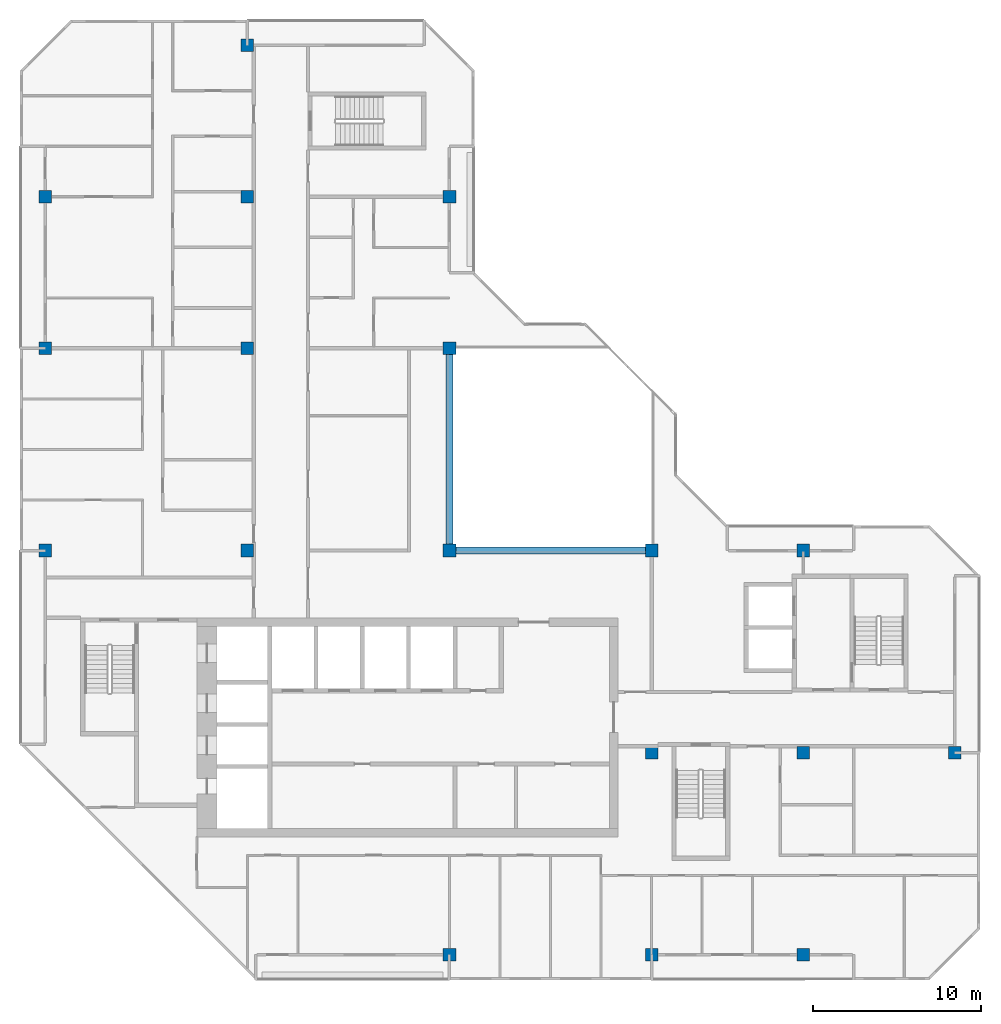
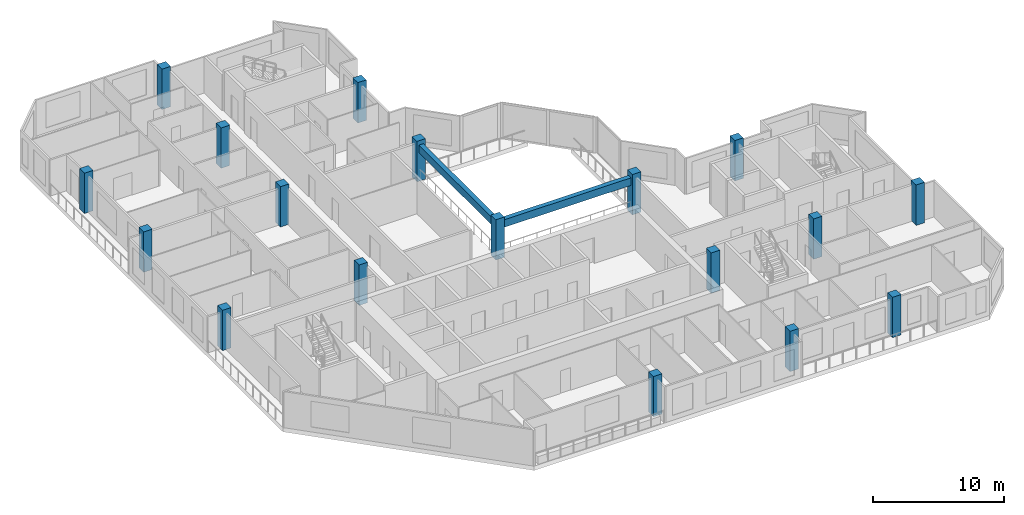
# One storey, part 1 of 12: 18 columns, 2 beams.
"""IFC4 building model written with IfcOpenShell, lengths in metres."""

from ifc_helpers import new_model, si_unit, direction, frame, origin, origin_2d, place, context, subcontext, project, spatial, rectangle, extrude, material, material_profile, profile_set, type_object, element, save


model = new_model("IFC4")

# Units and contexts
model_context = context("Model", 3, precision=1e-05, world=origin(), true_north=direction((0.0, 1.0)))
body_context = subcontext(model_context, "Body", "Model", "MODEL_VIEW")
ifc_project = project(units=[si_unit("LENGTHUNIT", "METRE"), si_unit("AREAUNIT", "SQUARE_METRE"), si_unit("VOLUMEUNIT", "CUBIC_METRE"), si_unit("PLANEANGLEUNIT", "RADIAN"), si_unit("MASSUNIT", "GRAM", prefix="KILO")], contexts=[model_context])

# Site, building, storey
site_placement = place(None, origin())
site = spatial("IfcSite", under=ifc_project, at=site_placement, CompositionType="ELEMENT")
building_placement = place(site_placement, origin())
building = spatial("IfcBuilding", under=site, at=building_placement, Name="Chenar Terraces", CompositionType="ELEMENT")
storey_placement = place(building_placement, frame((0.0, 0.0, 365.14990234375)))
storey = spatial("IfcBuildingStorey", under=building, at=storey_placement, Name="L85", CompositionType="ELEMENT", Elevation=365.14990234375)

# Columns
ifc_material_1 = material(Name="Concrete C50/60", Category="concrete")
ifc_material_profile_1 = material_profile(ifc_material_1, rectangle(XDim=0.75, YDim=0.75, at=origin_2d()), Name="C 750 x 750")
ifc_profile_set_1 = profile_set([ifc_material_profile_1], Name="Concrete C50/60")
column_type = type_object("IfcColumnType", Name="Column C 750 x 750 Concrete C50/60", PredefinedType="COLUMN", material=ifc_profile_set_1)
column_1_placement = place(storey_placement, frame((0.0, 24.0, 0.0), z_axis=(0.0, 0.0, 1.0), x_axis=(1.0, 0.0, 0.0)))
element("IfcColumn", 1, at=column_1_placement, inside=storey, type_object=column_type, Name="Column 5/G L85", PredefinedType="COLUMN", context=body_context, shape_type="SweptSolid", body=[
    extrude(rectangle(XDim=0.75, YDim=0.75, at=origin_2d()), origin(), (0.0, 0.0, 1.0), 3.75),
])
column_2_placement = place(storey_placement, frame((0.0, 36.0, 0.0), z_axis=(0.0, 0.0, 1.0), x_axis=(1.0, 0.0, 0.0)))
element("IfcColumn", 2, at=column_2_placement, inside=storey, type_object=column_type, Name="Column 5/H L85", PredefinedType="COLUMN", context=body_context, shape_type="SweptSolid", body=[
    extrude(rectangle(XDim=0.75, YDim=0.75, at=origin_2d()), origin(), (0.0, 0.0, 1.0), 3.75),
])
for number, where, z_axis, x_axis, name in (
    (3, (0.0, 45.0, 0.0), (0.0, 0.0, 1.0), (1.0, 0.0, 0.0), "Column 5/J L85"),
    (4, (12.0, 24.0, 0.0), (0.0, 0.0, 1.0), (1.0, 0.0, 0.0), "Column 6/G L85"),
    (5, (12.0, 36.0, 0.0), (0.0, 0.0, 1.0), (1.0, 0.0, 0.0), "Column 6/H L85"),
    (6, (12.0, 45.0, 0.0), (0.0, 0.0, 1.0), (1.0, 0.0, 0.0), "Column 6/J L85"),
    (7, (12.0, 54.0, 0.0), (0.0, 0.0, 1.0), (1.0, 0.0, 0.0), "Column 6/K L85"),
    (8, (24.0, 0.0, 0.0), (0.0, 0.0, 1.0), (1.0, 0.0, 0.0), "Column 7/E L85"),
    (9, (24.0, 24.0, 0.0), (0.0, 0.0, 1.0), (1.0, 0.0, 0.0), "Column 7/G L85"),
    (10, (24.0, 36.0, 0.0), (0.0, 0.0, 1.0), (1.0, 0.0, 0.0), "Column 7/H L85"),
    (11, (24.0, 45.0, 0.0), (0.0, 0.0, 1.0), (1.0, 0.0, 0.0), "Column 7/J L85"),
    (12, (36.0, 0.0, 0.0), (0.0, 0.0, 1.0), (1.0, 0.0, 0.0), "Column 8/E L85"),
    (13, (36.0, 12.0, 0.0), (0.0, 0.0, 1.0), (1.0, 0.0, 0.0), "Column 8/F L85"),
    (14, (36.0, 24.0, 0.0), (0.0, 0.0, 1.0), (1.0, 0.0, 0.0), "Column 8/G L85"),
    (15, (45.0, 0.0, 0.0), (0.0, 0.0, 1.0), (1.0, 0.0, 0.0), "Column 9/E L85"),
    (16, (45.0, 12.0, 0.0), (0.0, 0.0, 1.0), (1.0, 0.0, 0.0), "Column 9/F L85"),
    (17, (45.0, 24.0, 0.0), (0.0, 0.0, 1.0), (1.0, 0.0, 0.0), "Column 9/G L85"),
    (18, (54.0, 12.0, 0.0), (0.0, 0.0, 1.0), (1.0, 0.0, 0.0), "Column 10/F L85"),
):
    element("IfcColumn", number, at=place(storey_placement, frame(where, z_axis=z_axis, x_axis=x_axis)), inside=storey, type_object=column_type, Name=name, PredefinedType="COLUMN", context=body_context, shape_type="SweptSolid", body=[
        extrude(rectangle(XDim=0.75, YDim=0.75, at=origin_2d()), origin(), (0.0, 0.0, 1.0), 3.75),
    ])

# Beams
ifc_material_2 = material(Name="Concrete C40/50", Category="concrete")
ifc_material_profile_2 = material_profile(ifc_material_2, rectangle(XDim=0.39990234375, YDim=0.699951171875, at=origin_2d()), Name="RC 400 x 700")
ifc_profile_set_2 = profile_set([ifc_material_profile_2], Name="Concrete C40/50")
beam_type = type_object("IfcBeamType", Name="Atrium edge beam 400 x 700 Concrete C40/50", PredefinedType="BEAM", material=ifc_profile_set_2)
for number, where, z_axis, x_axis, name in (
    (19, (24.375, 24.0, 3.0), (1.0, 0.0, 0.0), (0.0, 1.0, 0.0), "Atrium edge beam L86 1"),
    (20, (24.0, 35.625, 3.0), (0.0, -1.0, 0.0), (1.0, 0.0, 0.0), "Atrium edge beam L86 4"),
):
    element("IfcBeam", number, at=place(storey_placement, frame(where, z_axis=z_axis, x_axis=x_axis)), inside=storey, type_object=beam_type, Name=name, PredefinedType="BEAM", context=body_context, shape_type="SweptSolid", body=[
        extrude(rectangle(XDim=0.39990234375, YDim=0.699951171875, at=origin_2d()), origin(), (0.0, 0.0, 1.0), 11.25),
    ])

save(model, "model.ifc")
